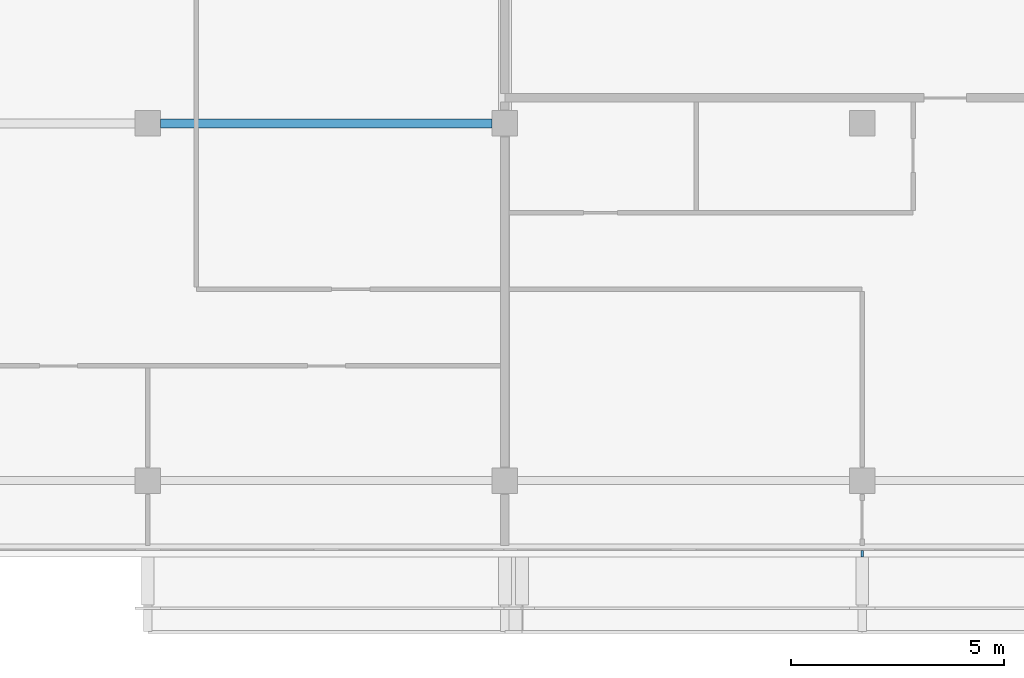
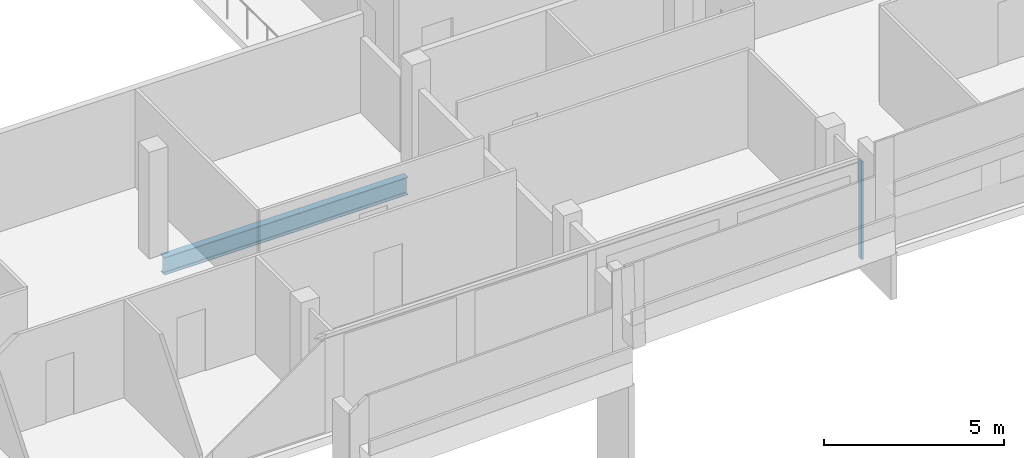
# One storey, part 6 of 27: 1 beam, 1 member, 1 element without a shape of its own.
"""IFC4 building model written with IfcOpenShell, lengths in metres."""

from ifc_helpers import new_model, si_unit, direction, frame, origin, origin_2d, place, context, subcontext, project, spatial, rectangle, i_section, extrude, material, material_profile, profile_set, type_object, element, aggregate, save


model = new_model("IFC4")

# Units and contexts
model_context = context("Model", 3, precision=1e-05, world=origin(), true_north=direction((0.0, 1.0)))
body_context = subcontext(model_context, "Body", "Model", "MODEL_VIEW")
ifc_project = project(units=[si_unit("LENGTHUNIT", "METRE"), si_unit("AREAUNIT", "SQUARE_METRE"), si_unit("VOLUMEUNIT", "CUBIC_METRE"), si_unit("PLANEANGLEUNIT", "RADIAN"), si_unit("MASSUNIT", "GRAM", prefix="KILO")], contexts=[model_context])

# Site, building, storey
site_placement = place(None, origin())
site = spatial("IfcSite", under=ifc_project, at=site_placement, CompositionType="ELEMENT")
building_placement = place(site_placement, origin())
building = spatial("IfcBuilding", under=site, at=building_placement, Name="Saffron Gate Tower", CompositionType="ELEMENT")
storey_placement = place(building_placement, frame((0.0, 0.0, 234.300048828125)))
storey = spatial("IfcBuildingStorey", under=building, at=storey_placement, Name="L57", CompositionType="ELEMENT", Elevation=234.300048828125)

# Beam
ifc_material_1 = material(Name="Structural steel S355", Category="steel")
ifc_material_profile_1 = material_profile(ifc_material_1, i_section(OverallWidth=0.219970703125, OverallDepth=0.60009765625, WebThickness=0.011962890625, FlangeThickness=0.01904296875, FilletRadius=0.02392578125, at=origin_2d()))
ifc_profile_set_1 = profile_set([ifc_material_profile_1], Name="Structural steel S355")
beam_type = type_object("IfcBeamType", Name="B15 IPE 600", PredefinedType="BEAM", material=ifc_profile_set_1)
beam_placement = place(storey_placement, frame((92.10009765625, 40.199951171875, -0.580078125), z_axis=(1.0, 0.0, 0.0), x_axis=(0.0, 1.0, 0.0)))
element("IfcBeam", 1, at=beam_placement, inside=storey, type_object=beam_type, Name="B15 FLOOR GIRDER", PredefinedType="BEAM", context=body_context, shape_type="SweptSolid", body=[
    extrude(i_section(OverallWidth=0.219970703125, OverallDepth=0.60009765625, WebThickness=0.011962890625, FlangeThickness=0.01904296875, FilletRadius=0.02392578125, at=origin_2d()), origin(), (0.0, 0.0, 1.0), 7.7998046875),
])

# Curtain wall, member
ifc_material_2 = material(Name="Aluminium, bronze anodised", Category="aluminium")
curtain_wall_type = type_object("IfcCurtainWallType", Name="CWS1 curtain wall front facade", PredefinedType="NOTDEFINED", material=ifc_material_2)
curtain_wall_placement = place(storey_placement, origin())
curtain_wall = element("IfcCurtainWall", 2, at=curtain_wall_placement, inside=storey, type_object=curtain_wall_type, Name="CWS1 run 1", PredefinedType="NOTDEFINED")
ifc_material_profile_2 = material_profile(ifc_material_2, rectangle(XDim=0.159912109375, YDim=0.06005859375, at=origin_2d()))
ifc_profile_set_2 = profile_set([ifc_material_profile_2], Name="Aluminium, bronze anodised")
member_type = type_object("IfcMemberType", Name="CWS1 mullion 60x160", PredefinedType="MULLION", material=ifc_profile_set_2)
member_placement = place(storey_placement, frame((108.60009765625, 30.080078125, 0.0), z_axis=(0.0, 0.0, 1.0), x_axis=(0.0, 1.0, 0.0)))
member = element("IfcMember", 3, at=member_placement, type_object=member_type, Name="CWS1 mullion 8", PredefinedType="MULLION", context=body_context, shape_type="SweptSolid", body=[
    extrude(rectangle(XDim=0.159912109375, YDim=0.06005859375, at=origin_2d()), origin(), (0.0, 0.0, 1.0), 3.320068359375),
])
aggregate(curtain_wall, [member])

save(model, "model.ifc")
